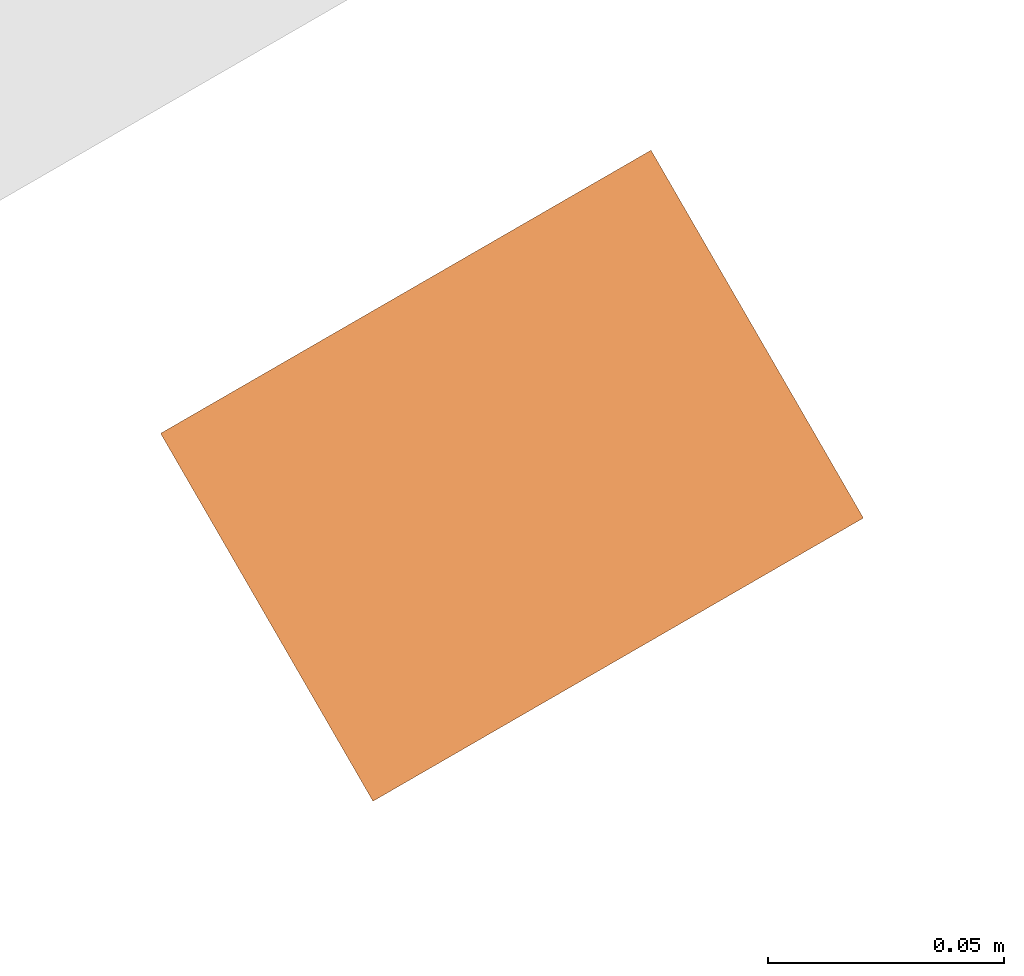
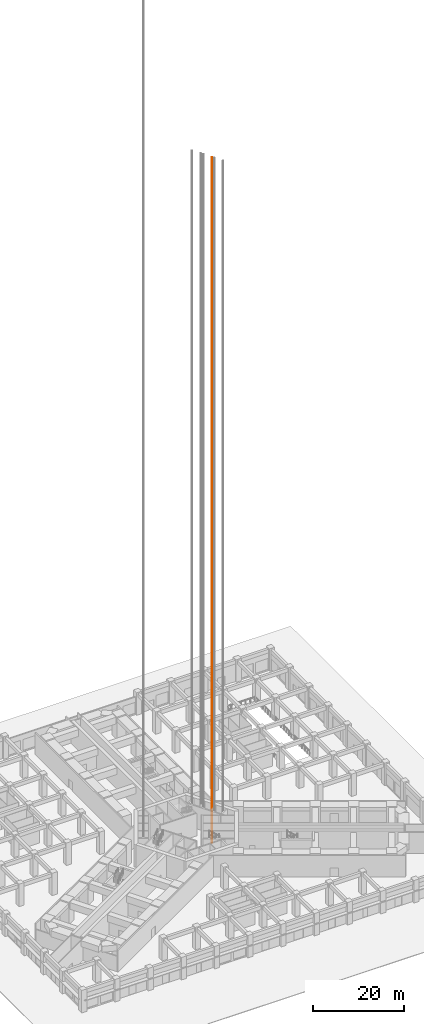
# One storey, part 27 of 33: 1 proxy.
"""IFC4 building model written with IfcOpenShell, lengths in metres."""

from ifc_helpers import new_model, si_unit, direction, frame, origin, origin_2d, place, context, subcontext, project, spatial, rectangle, extrude, material, type_object, element, save


model = new_model("IFC4")

# Units and contexts
model_context = context("Model", 3, precision=1e-05, world=origin(), true_north=direction((0.0, 1.0)))
body_context = subcontext(model_context, "Body", "Model", "MODEL_VIEW")
ifc_project = project(units=[si_unit("LENGTHUNIT", "METRE"), si_unit("AREAUNIT", "SQUARE_METRE"), si_unit("VOLUMEUNIT", "CUBIC_METRE"), si_unit("PLANEANGLEUNIT", "RADIAN"), si_unit("MASSUNIT", "GRAM", prefix="KILO")], contexts=[model_context])

# Site, building, storey
site_placement = place(None, origin())
site = spatial("IfcSite", under=ifc_project, at=site_placement, CompositionType="ELEMENT")
building_placement = place(site_placement, origin())
building = spatial("IfcBuilding", under=site, at=building_placement, Name="Impinga Residences", CompositionType="ELEMENT")
storey_placement = place(building_placement, origin())
storey = spatial("IfcBuildingStorey", under=building, at=storey_placement, Name="L00", CompositionType="ELEMENT", Elevation=0.0)

# Proxy
ifc_material = material(Name="Steel lift guide rail, galvanised", Category="steel")
building_element_proxy_type = type_object("IfcBuildingElementProxyType", Name="LGR lift guide rail", PredefinedType="USERDEFINED", material=ifc_material)
proxy_placement = place(storey_placement, frame((8.67724609375, 3.73388671875, -3.5), z_axis=(0.0, 0.0, 1.0), x_axis=(-0.5, 0.866025403784, 0.0)))
element("IfcBuildingElementProxy", 1, at=proxy_placement, inside=storey, type_object=building_element_proxy_type, Name="Guide rail P5 1", ObjectType="Lift guide rail", PredefinedType="USERDEFINED", context=body_context, shape_type="SweptSolid", body=[
    extrude(rectangle(XDim=0.090087890625, YDim=0.1201171875, at=origin_2d()), origin(), (0.0, 0.0, 1.0), 183.14990234375),
])

save(model, "model.ifc")
